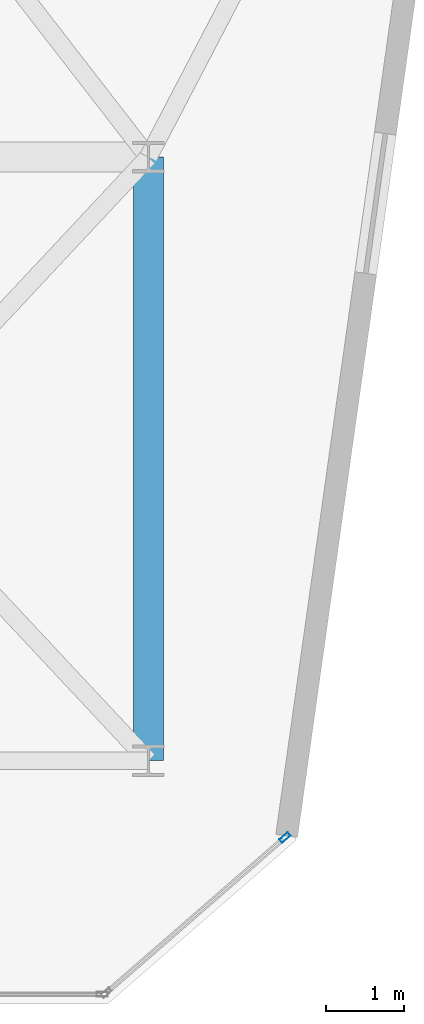
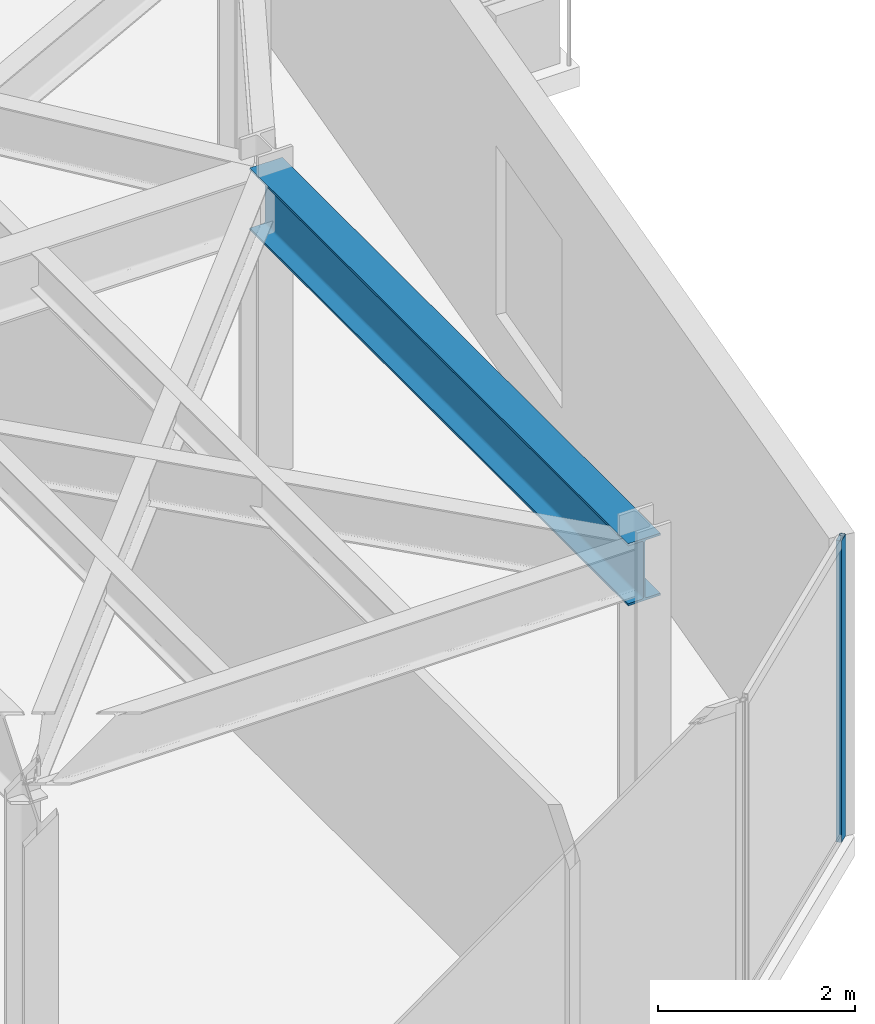
# One storey, part 14 of 21: 1 beam, 1 member, 1 element without a shape of its own.
"""IFC4 building model written with IfcOpenShell, lengths in metres."""

from ifc_helpers import new_model, si_unit, direction, frame, origin, origin_2d, place, context, subcontext, project, spatial, hollow_rectangle, i_section, extrude, material, layer, layer_set, material_profile, profile_set, type_object, element, aggregate, save


model = new_model("IFC4")

# Units and contexts
model_context = context("Model", 3, precision=1e-05, world=origin(), true_north=direction((0.0, 1.0)))
body_context = subcontext(model_context, "Body", "Model", "MODEL_VIEW")
ifc_project = project(units=[si_unit("LENGTHUNIT", "METRE"), si_unit("AREAUNIT", "SQUARE_METRE"), si_unit("VOLUMEUNIT", "CUBIC_METRE"), si_unit("PLANEANGLEUNIT", "RADIAN"), si_unit("MASSUNIT", "GRAM", prefix="KILO")], contexts=[model_context])

# Site, building, storey
site_placement = place(None, origin())
site = spatial("IfcSite", under=ifc_project, at=site_placement, CompositionType="ELEMENT")
building_placement = place(site_placement, origin())
building = spatial("IfcBuilding", under=site, at=building_placement, Name="Kravanh Interchange Tower", CompositionType="ELEMENT")
storey_placement = place(building_placement, frame((0.0, 0.0, 216.5)))
storey = spatial("IfcBuildingStorey", under=building, at=storey_placement, Name="L52", CompositionType="ELEMENT", Elevation=216.5)

# Curtain wall, member
ifc_material_1 = material(Name="Anodised Bronze Aluminium", Category="aluminium")
ifc_layer = layer(ifc_material_1, 0.179931640625)
ifc_layer_set = layer_set([ifc_layer], Name="Unitised Curtain Wall System CW-Z3 Upper Office")
curtain_wall_type = type_object("IfcCurtainWallType", Name="Unitised Curtain Wall System CW-Z3 Upper Office", PredefinedType="NOTDEFINED", material=ifc_layer_set)
curtain_wall_placement = place(storey_placement, origin())
curtain_wall = element("IfcCurtainWall", 1, at=curtain_wall_placement, inside=storey, type_object=curtain_wall_type, Name="L52 Unitised Curtain Wall CW-L52-01", PredefinedType="NOTDEFINED")
ifc_material_2 = material(Name="Anodised Bronze Aluminium", Category="aluminium")
ifc_material_profile_1 = material_profile(ifc_material_2, hollow_rectangle(XDim=0.06005859375, YDim=0.139892578125, WallThickness=0.00390625, at=origin_2d()), Name="ALU60X140X4")
ifc_profile_set_1 = profile_set([ifc_material_profile_1], Name="Anodised Bronze Aluminium")
member_type = type_object("IfcMemberType", Name="Curtain Wall Mullion ALU60X140X4 Bronze", PredefinedType="MULLION", material=ifc_profile_set_1)
member_placement = place(storey_placement, frame((64.94287109375, 13.52099609375, 0.0), z_axis=(0.0, 0.0, 1.0), x_axis=(0.65605090137, -0.754716645379, 0.0)))
member = element("IfcMember", 2, at=member_placement, type_object=member_type, Name="CW-Z3 mullion 1", PredefinedType="MULLION", context=body_context, shape_type="SweptSolid", body=[
    extrude(hollow_rectangle(XDim=0.06005859375, YDim=0.139892578125, WallThickness=0.00390625, at=origin_2d()), origin(), (0.0, 0.0, 1.0), 3.7451171875),
])
aggregate(curtain_wall, [member])

# Beam
ifc_material_3 = material(Name="Structural Steel S355", Category="steel")
ifc_material_profile_2 = material_profile(ifc_material_3, i_section(OverallWidth=0.381103515625, OverallDepth=0.77294921875, WebThickness=0.0166015625, FlangeThickness=0.027099609375, FilletRadius=0.02490234375, at=origin_2d()), Name="W30X173")
ifc_profile_set_2 = profile_set([ifc_material_profile_2], Name="Structural Steel S355")
beam_type = type_object("IfcBeamType", Name="Floor Beam W30X173 Structural Steel S355", PredefinedType="BEAM", material=ifc_profile_set_2)
beam_placement = place(storey_placement, frame((63.199951171875, 14.5, 3.3583984375), z_axis=(0.0, 1.0, 0.0), x_axis=(-1.0, 0.0, 0.0)))
element("IfcBeam", 3, at=beam_placement, inside=storey, type_object=beam_type, Name="L52 Primary Floor Girder 89", PredefinedType="BEAM", context=body_context, shape_type="SweptSolid", body=[
    extrude(i_section(OverallWidth=0.381103515625, OverallDepth=0.77294921875, WebThickness=0.0166015625, FlangeThickness=0.027099609375, FilletRadius=0.02490234375, at=origin_2d()), origin(), (0.0, 0.0, 1.0), 7.699951171875),
])

save(model, "model.ifc")
